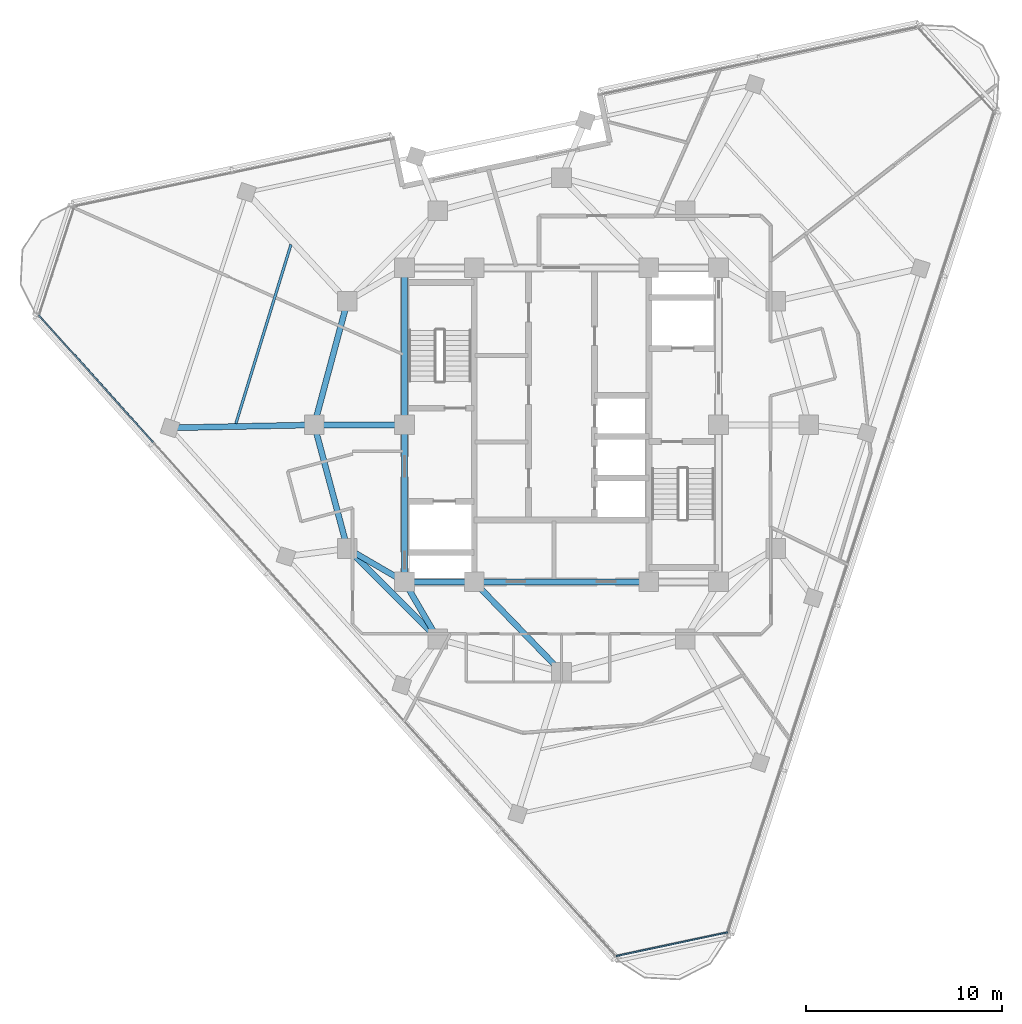
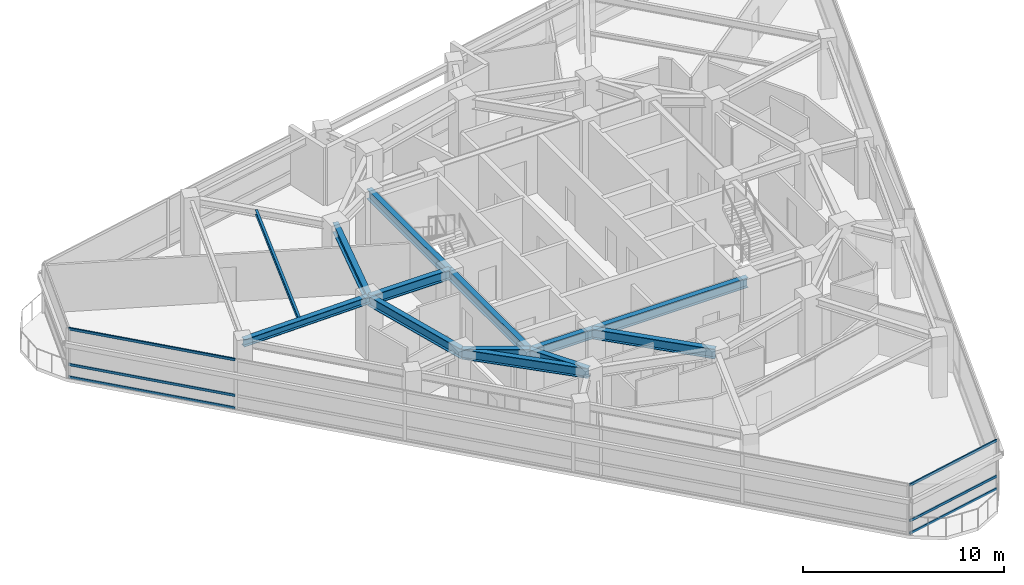
# One storey, part 3 of 15: 13 beams, 6 members, 2 elements without a shape of their own.
"""IFC4 building model written with IfcOpenShell, lengths in metres."""

import ifcopenshell
import ifcopenshell.guid

model = None  # the IFC model being written
_history = None  # IfcOwnerHistory: only IFC2X3 demands one
_inside = {}  # id of a spatial element -> (the spatial element, [elements in it])
_under = {}  # id of a project, library or spatial element -> (it, [spatial elements below it])
_declared = {}  # id of a project -> (the project, [libraries it declares])
_typed = {}  # id of a type object -> (the type object, [elements of that type])
_made_of = {}  # id of a material, layer set ... -> (it, [elements and type objects made of it])


def new_model(schema):
    """Start an empty IFC model of exactly this schema.

    Asked for "IFC4X3", IfcOpenShell would pick the latest addendum, in which some entities
    have other attributes; the version numbers below select the first issue.
    IFC2X3 requires an IfcOwnerHistory on every rooted entity: one is made here for all.
    """
    global model, _history
    if schema == "IFC4X3":
        model = ifcopenshell.file(schema_version=(4, 3, 0, 0))
    else:
        model = ifcopenshell.file(schema=schema)
    _inside.clear()
    _under.clear()
    _declared.clear()
    _typed.clear()
    _made_of.clear()
    _history = None
    if model.schema == "IFC2X3":
        org = make("IfcOrganization", Name="unknown")
        user = make(
            "IfcPersonAndOrganization",
            ThePerson=make("IfcPerson", FamilyName="unknown"),
            TheOrganization=org,
        )
        app = make(
            "IfcApplication",
            ApplicationDeveloper=org,
            Version="unknown",
            ApplicationFullName="unknown",
            ApplicationIdentifier="unknown",
        )
        _history = make(
            "IfcOwnerHistory",
            OwningUser=user,
            OwningApplication=app,
            ChangeAction="ADDED",
            CreationDate=0,
        )
    return model


def make(cls, **values):
    """One entity of the class cls with the attributes given. An attribute that is None is left unset."""
    return model.create_entity(
        cls, **{name: value for name, value in values.items() if value is not None}
    )


def rooted(cls, **values):
    """An entity with a GlobalId (a new one), such as an element, a storey or a relation."""
    return make(cls, GlobalId=ifcopenshell.guid.new(), OwnerHistory=_history, **values)


def si_unit(unit_type, name, prefix=None):
    """IfcSIUnit, for example si_unit("LENGTHUNIT", "METRE", prefix="MILLI")."""
    return make("IfcSIUnit", UnitType=unit_type, Prefix=prefix, Name=name)


def assignment(units):
    """IfcUnitAssignment: the units of a project."""
    return None if units is None else make("IfcUnitAssignment", Units=units)


def point(xyz):
    """IfcCartesianPoint."""
    return None if xyz is None else make("IfcCartesianPoint", Coordinates=xyz)


def direction(xyz):
    """IfcDirection."""
    return None if xyz is None else make("IfcDirection", DirectionRatios=xyz)


def frame(location, z_axis=None, x_axis=None):
    """IfcAxis2Placement3D, a coordinate frame: its origin and axes. An axis left out is left unset."""
    return make(
        "IfcAxis2Placement3D",
        Location=point(location),
        Axis=direction(z_axis),
        RefDirection=direction(x_axis),
    )


def frame_2d(location, x_axis=None):
    """IfcAxis2Placement2D, a coordinate frame in the plane: its origin and x axis."""
    return make(
        "IfcAxis2Placement2D", Location=point(location), RefDirection=direction(x_axis)
    )


def origin():
    """The frame at (0, 0, 0) with its axes left unset."""
    return frame((0.0, 0.0, 0.0))


def origin_2d():
    """The frame at (0, 0) in the plane with its x axis left unset."""
    return frame_2d((0.0, 0.0))


def place(relative_to, where):
    """IfcLocalPlacement: puts the frame where relative to a parent placement (None: the world)."""
    return make(
        "IfcLocalPlacement", PlacementRelTo=relative_to, RelativePlacement=where
    )


def context(
    kind, dimensions, precision=None, world=None, true_north=None, identifier=None
):
    """IfcGeometricRepresentationContext, for example the 3D "Model" context."""
    return make(
        "IfcGeometricRepresentationContext",
        ContextIdentifier=identifier,
        ContextType=kind,
        CoordinateSpaceDimension=dimensions,
        Precision=precision,
        WorldCoordinateSystem=world,
        TrueNorth=true_north,
    )


def subcontext(parent, identifier, kind, view, scale=None):
    """IfcGeometricRepresentationSubContext, for example "Body" below "Model"."""
    return make(
        "IfcGeometricRepresentationSubContext",
        ContextIdentifier=identifier,
        ContextType=kind,
        ParentContext=parent,
        TargetScale=scale,
        TargetView=view,
    )


def project(units=None, contexts=None):
    """IfcProject with its units and contexts."""
    return rooted(
        "IfcProject",
        Name="project",
        RepresentationContexts=contexts,
        UnitsInContext=assignment(units),
    )


def spatial(cls, under=None, at=None, **own):
    """A site, building, storey or space (cls), placed at a placement, below another one or the project."""
    s = rooted(cls, ObjectPlacement=at, **own)
    if under is not None:
        _under.setdefault(under.id(), (under, []))[1].append(s)
    return s


def profile(cls, at=None, kind="AREA", **sizes):
    """A parametric profile (cls). Its sizes go by their IFC names, for example OverallWidth=200.0."""
    return make(cls, ProfileType=kind, Position=at, **sizes)


def rectangle(**sizes):
    """IfcRectangleProfileDef."""
    return profile("IfcRectangleProfileDef", **sizes)


def i_section(**sizes):
    """IfcIShapeProfileDef."""
    return profile("IfcIShapeProfileDef", **sizes)


def extrude(swept, where, along, depth):
    """IfcExtrudedAreaSolid: the profile swept, set in the frame where, extruded along a direction by depth."""
    return make(
        "IfcExtrudedAreaSolid",
        SweptArea=swept,
        Position=where,
        ExtrudedDirection=direction(along),
        Depth=depth,
    )


def shape(context_of_items, identifier, shape_type, items):
    """IfcShapeRepresentation: the items that make up one representation, for example the "Body"."""
    return make(
        "IfcShapeRepresentation",
        ContextOfItems=context_of_items,
        RepresentationIdentifier=identifier,
        RepresentationType=shape_type,
        Items=items,
    )


def material(Name=None, Category=None):
    """IfcMaterial."""
    return make("IfcMaterial", Name=Name, Category=Category)


def layer(
    of_material, thickness, ventilated=None, Name=None, Category=None, Priority=None
):
    """IfcMaterialLayer: one layer of a wall or slab, of a material (None: an air gap)."""
    return make(
        "IfcMaterialLayer",
        Material=of_material,
        LayerThickness=thickness,
        IsVentilated=ventilated,
        Name=Name,
        Category=Category,
        Priority=Priority,
    )


def layer_set(layers, Name=None):
    """IfcMaterialLayerSet."""
    return make("IfcMaterialLayerSet", MaterialLayers=layers, LayerSetName=Name)


def material_profile(
    of_material, cross_section, Name=None, Category=None, Priority=None
):
    """IfcMaterialProfile: a cross section and its material."""
    return make(
        "IfcMaterialProfile",
        Name=Name,
        Material=of_material,
        Profile=cross_section,
        Priority=Priority,
        Category=Category,
    )


def profile_set(profiles, Name=None, composite=None):
    """IfcMaterialProfileSet."""
    return make(
        "IfcMaterialProfileSet",
        Name=Name,
        MaterialProfiles=profiles,
        CompositeProfile=composite,
    )


def made_of(thing, what):
    """Note that an element or type object is made of a material, layer set ...; save() writes the relation."""
    if what is not None:
        _made_of.setdefault(what.id(), (what, []))[1].append(thing)
    return thing


def type_object(cls, material=None, **own):
    """A type object (cls), such as IfcWallType, which elements share."""
    return made_of(rooted(cls, **own), material)


def element(
    cls,
    number,
    at=None,
    inside=None,
    cuts=None,
    type_object=None,
    material=None,
    context=None,
    identifier="Body",
    shape_type=None,
    held_by="IfcProductDefinitionShape",
    body=None,
    shapes=None,
    **own,
):
    """One element of the class cls, such as IfcWall. Its Tag is "e" and its number.

    at: its placement. inside: the storey or other place that contains it. cuts: it is an
    opening in that element (IfcRelVoidsElement). A single representation is given by context,
    identifier, shape_type and body (its items); several are given by shapes. held_by: the class
    of the entity that holds the representations. save() writes the other relations.
    """
    e = rooted(cls, Tag="e%d" % number, ObjectPlacement=at, **own)
    if body is not None:
        shapes = [shape(context, identifier, shape_type, body)]
    if shapes is not None:
        e.Representation = make(held_by, Representations=shapes)
    if inside is not None:
        _inside.setdefault(inside.id(), (inside, []))[1].append(e)
    if cuts is not None:
        rooted(
            "IfcRelVoidsElement", RelatingBuildingElement=cuts, RelatedOpeningElement=e
        )
    if type_object is not None:
        _typed.setdefault(type_object.id(), (type_object, []))[1].append(e)
    return made_of(e, material)


def aggregate(whole, parts):
    """IfcRelAggregates: a whole, such as a stair, and the parts it consists of."""
    return rooted("IfcRelAggregates", RelatingObject=whole, RelatedObjects=parts)


def save(model, path):
    """Write the relations noted so far, then the file.

    IfcRelAggregates (storeys below a building ...), IfcRelContainedInSpatialStructure (elements
    in a storey), IfcRelDefinesByType, IfcRelAssociatesMaterial and IfcRelDeclares: one each for
    every whole, place, type object, material and project.
    """
    for whole, parts in _under.values():
        aggregate(whole, parts)
    for where, things in _inside.values():
        rooted(
            "IfcRelContainedInSpatialStructure",
            RelatedElements=things,
            RelatingStructure=where,
        )
    for kind, things in _typed.values():
        rooted("IfcRelDefinesByType", RelatedObjects=things, RelatingType=kind)
    for what, things in _made_of.values():
        rooted("IfcRelAssociatesMaterial", RelatedObjects=things, RelatingMaterial=what)
    for by, libraries in _declared.values():
        rooted("IfcRelDeclares", RelatingContext=by, RelatedDefinitions=libraries)
    model.write(path)


model = new_model("IFC4")

# Units and contexts
model_context = context("Model", 3, precision=1e-05, world=origin(), true_north=direction((0.0, 1.0)))
body_context = subcontext(model_context, "Body", "Model", "MODEL_VIEW")
ifc_project = project(units=[si_unit("LENGTHUNIT", "METRE"), si_unit("AREAUNIT", "SQUARE_METRE"), si_unit("VOLUMEUNIT", "CUBIC_METRE"), si_unit("PLANEANGLEUNIT", "RADIAN"), si_unit("MASSUNIT", "GRAM", prefix="KILO")], contexts=[model_context])

# Site, building, storey
site_placement = place(None, origin())
site = spatial("IfcSite", under=ifc_project, at=site_placement, CompositionType="ELEMENT")
building_placement = place(site_placement, origin())
building = spatial("IfcBuilding", under=site, at=building_placement, Name="Terralouvre Media Tower", CompositionType="ELEMENT")
storey_placement = place(building_placement, frame((0.0, 0.0, 294.300048828125)))
storey = spatial("IfcBuildingStorey", under=building, at=storey_placement, Name="L76", CompositionType="ELEMENT", Elevation=294.300048828125)

# Beam
ifc_material_1 = material(Name="Structural steel S355J2", Category="steel")
ifc_material_profile_1 = material_profile(ifc_material_1, i_section(OverallWidth=0.135009765625, OverallDepth=0.27001953125, WebThickness=0.006591796875, FlangeThickness=0.01025390625, at=origin_2d()), Name="IPE 270")
ifc_profile_set_1 = profile_set([ifc_material_profile_1], Name="Structural steel S355J2")
beam_type_1 = type_object("IfcBeamType", Name="Composite Floor Joist J-IPE270 (IPE 270)", PredefinedType="JOIST", material=ifc_profile_set_1)
beam_1_placement = place(storey_placement, frame((-13.788330078125, 9.187744140625, 3.364990234375), z_axis=(-0.294195495195, -0.955745264496, 0.0), x_axis=(0.955745264496, -0.294195495195, 0.0)))
element("IfcBeam", 1, at=beam_1_placement, inside=storey, type_object=beam_type_1, Name="L76 Framing Beam JT-L76-06", PredefinedType="JOIST", context=body_context, shape_type="SweptSolid", body=[
    extrude(i_section(OverallWidth=0.135009765625, OverallDepth=0.27001953125, WebThickness=0.006591796875, FlangeThickness=0.01025390625, at=origin_2d()), origin(), (0.0, 0.0, 1.0), 9.544189453125),
])

# Curtain wall, members
ifc_material_2 = material(Name="Low-iron laminated double glazing with solar-control coating", Category="glass")
ifc_layer_1 = layer(ifc_material_2, 0.1650390625, Name="Faceted Glass-Point Crown Curtain Wall CW-06")
ifc_layer_set_1 = layer_set([ifc_layer_1], Name="Low-iron laminated double glazing with solar-control coating")
curtain_wall_type_1 = type_object("IfcCurtainWallType", Name="Faceted Glass-Point Crown Curtain Wall CW-06", PredefinedType="NOTDEFINED", material=ifc_layer_set_1)
curtain_wall_1_placement = place(storey_placement, origin())
curtain_wall_1 = element("IfcCurtainWall", 2, at=curtain_wall_1_placement, inside=storey, type_object=curtain_wall_type_1, Name="L76 Facade Curtain Wall F2", PredefinedType="NOTDEFINED")
ifc_material_3 = material(Name="Anodised extruded aluminium 6063-T6", Category="aluminium")
ifc_material_profile_2 = material_profile(ifc_material_3, rectangle(XDim=0.074951171875, YDim=0.14990234375, at=origin_2d()), Name="ALU 75x150")
ifc_profile_set_2 = profile_set([ifc_material_profile_2], Name="Anodised extruded aluminium 6063-T6")
member_type = type_object("IfcMemberType", Name="Curtain-Wall Horizontal Transom TR-150", PredefinedType="USERDEFINED", material=ifc_profile_set_2)
member_1_placement = place(storey_placement, frame((-26.64306640625, 5.59423828125, 0.037353515625), z_axis=(0.669130389016, -0.743145021174, 0.0), x_axis=(0.743145021174, 0.669130389016, 0.0)))
member_1 = element("IfcMember", 3, at=member_1_placement, type_object=member_type, Name="CW-06 transom 1.1", ObjectType="TRANSOM", PredefinedType="USERDEFINED", context=body_context, shape_type="SweptSolid", body=[
    extrude(rectangle(XDim=0.074951171875, YDim=0.14990234375, at=origin_2d()), origin(), (0.0, 0.0, 1.0), 8.71142578125),
])
member_2_placement = place(storey_placement, frame((-26.64306640625, 5.59423828125, 0.800048828125), z_axis=(0.669130389016, -0.743145021174, 0.0), x_axis=(0.743145021174, 0.669130389016, 0.0)))
member_2 = element("IfcMember", 4, at=member_2_placement, type_object=member_type, Name="CW-06 transom 1.2", ObjectType="TRANSOM", PredefinedType="USERDEFINED", context=body_context, shape_type="SweptSolid", body=[
    extrude(rectangle(XDim=0.074951171875, YDim=0.14990234375, at=origin_2d()), origin(), (0.0, 0.0, 1.0), 8.71142578125),
])
member_3_placement = place(storey_placement, frame((-26.64306640625, 5.59423828125, 2.96240234375), z_axis=(0.669130389016, -0.743145021174, 0.0), x_axis=(0.743145021174, 0.669130389016, 0.0)))
member_3 = element("IfcMember", 5, at=member_3_placement, type_object=member_type, Name="CW-06 transom 1.3", ObjectType="TRANSOM", PredefinedType="USERDEFINED", context=body_context, shape_type="SweptSolid", body=[
    extrude(rectangle(XDim=0.074951171875, YDim=0.14990234375, at=origin_2d()), origin(), (0.0, 0.0, 1.0), 8.71142578125),
])
aggregate(curtain_wall_1, [member_1, member_2, member_3])

ifc_material_4 = material(Name="Low-iron laminated double glazing with solar-control coating", Category="glass")
ifc_layer_2 = layer(ifc_material_4, 0.1650390625, Name="Rounded Wind-Corner Curved Glazing CW-04")
ifc_layer_set_2 = layer_set([ifc_layer_2], Name="Low-iron laminated double glazing with solar-control coating")
curtain_wall_type_2 = type_object("IfcCurtainWallType", Name="Rounded Wind-Corner Curved Glazing CW-04", PredefinedType="NOTDEFINED", material=ifc_layer_set_2)
curtain_wall_2_placement = place(storey_placement, origin())
curtain_wall_2 = element("IfcCurtainWall", 6, at=curtain_wall_2_placement, inside=storey, type_object=curtain_wall_type_2, Name="L76 Rounded Wind-Corner Curtain Wall C0", PredefinedType="NOTDEFINED")
member_4_placement = place(storey_placement, frame((2.783935546875, -27.0654296875, 0.037353515625), z_axis=(0.978142503597, 0.207935669515, 0.0), x_axis=(-0.207935669515, 0.978142503597, 0.0)))
member_4 = element("IfcMember", 7, at=member_4_placement, type_object=member_type, Name="CW-04 transom 1.1", ObjectType="TRANSOM", PredefinedType="USERDEFINED", context=body_context, shape_type="SweptSolid", body=[
    extrude(rectangle(XDim=0.074951171875, YDim=0.14990234375, at=origin_2d()), origin(), (0.0, 0.0, 1.0), 5.808349609375),
])
member_5_placement = place(storey_placement, frame((2.783935546875, -27.0654296875, 0.800048828125), z_axis=(0.978142503597, 0.207935669515, 0.0), x_axis=(-0.207935669515, 0.978142503597, 0.0)))
member_5 = element("IfcMember", 8, at=member_5_placement, type_object=member_type, Name="CW-04 transom 1.2", ObjectType="TRANSOM", PredefinedType="USERDEFINED", context=body_context, shape_type="SweptSolid", body=[
    extrude(rectangle(XDim=0.074951171875, YDim=0.14990234375, at=origin_2d()), origin(), (0.0, 0.0, 1.0), 5.808349609375),
])
member_6_placement = place(storey_placement, frame((2.783935546875, -27.0654296875, 2.96240234375), z_axis=(0.978142503597, 0.207935669515, 0.0), x_axis=(-0.207935669515, 0.978142503597, 0.0)))
member_6 = element("IfcMember", 9, at=member_6_placement, type_object=member_type, Name="CW-04 transom 1.3", ObjectType="TRANSOM", PredefinedType="USERDEFINED", context=body_context, shape_type="SweptSolid", body=[
    extrude(rectangle(XDim=0.074951171875, YDim=0.14990234375, at=origin_2d()), origin(), (0.0, 0.0, 1.0), 5.808349609375),
])
aggregate(curtain_wall_2, [member_4, member_5, member_6])

# Beams
ifc_material_5 = material(Name="Structural steel S355J2", Category="steel")
ifc_material_profile_3 = material_profile(ifc_material_5, i_section(OverallWidth=0.300048828125, OverallDepth=0.449951171875, WebThickness=0.013916015625, FlangeThickness=0.02587890625, at=origin_2d()), Name="HEB 450")
ifc_profile_set_3 = profile_set([ifc_material_profile_3], Name="Structural steel S355J2")
beam_type_2 = type_object("IfcBeamType", Name="Primary Floor Girder B-HEB450 (HEB 450)", PredefinedType="BEAM", material=ifc_profile_set_3)
beam_2_placement = place(storey_placement, frame((-12.60009765625, 0.0, 3.27490234375), z_axis=(-0.999787942628, -0.020592954534, 0.0), x_axis=(0.020592954534, -0.999787942628, 0.0)))
element("IfcBeam", 10, at=beam_2_placement, inside=storey, type_object=beam_type_2, Name="L76 Framing Beam BM-L76-RD01", PredefinedType="BEAM", context=body_context, shape_type="SweptSolid", body=[
    extrude(i_section(OverallWidth=0.300048828125, OverallDepth=0.449951171875, WebThickness=0.013916015625, FlangeThickness=0.02587890625, at=origin_2d()), origin(), (0.0, 0.0, 1.0), 7.350341796875),
])
ifc_material_6 = material(Name="Structural steel S460M", Category="steel")
ifc_material_profile_4 = material_profile(ifc_material_6, i_section(OverallWidth=0.300048828125, OverallDepth=0.60009765625, WebThickness=0.015380859375, FlangeThickness=0.030029296875, at=origin_2d()), Name="HEB 600")
ifc_profile_set_4 = profile_set([ifc_material_profile_4], Name="Structural steel S460M")
beam_type_3 = type_object("IfcBeamType", Name="Primary Floor Girder B-HEB600 (HEB 600)", PredefinedType="BEAM", material=ifc_profile_set_4)
beam_3_placement = place(storey_placement, frame((-8.0, -8.0, 3.199951171875), z_axis=(1.0, 0.0, 0.0), x_axis=(0.0, 1.0, 0.0)))
element("IfcBeam", 11, at=beam_3_placement, inside=storey, type_object=beam_type_3, Name="L76 Framing Beam BM-L76-CPR01", PredefinedType="BEAM", context=body_context, shape_type="SweptSolid", body=[
    extrude(i_section(OverallWidth=0.300048828125, OverallDepth=0.60009765625, WebThickness=0.015380859375, FlangeThickness=0.030029296875, at=origin_2d()), origin(), (0.0, 0.0, 1.0), 3.550048828125),
])
beam_4_placement = place(storey_placement, frame((-4.449951171875, -8.0, 3.199951171875), z_axis=(1.0, 0.0, 0.0), x_axis=(0.0, 1.0, 0.0)))
element("IfcBeam", 12, at=beam_4_placement, inside=storey, type_object=beam_type_3, Name="L76 Framing Beam BM-L76-CPR02", PredefinedType="BEAM", context=body_context, shape_type="SweptSolid", body=[
    extrude(i_section(OverallWidth=0.300048828125, OverallDepth=0.60009765625, WebThickness=0.015380859375, FlangeThickness=0.030029296875, at=origin_2d()), origin(), (0.0, 0.0, 1.0), 8.89990234375),
])
for number, where, z_axis, x_axis, name in (
    (13, (-8.0, 8.0, 3.199951171875), (0.0, -1.0, 0.0), (1.0, 0.0, 0.0), "L76 Framing Beam BM-L76-CPR09"),
    (14, (-8.0, 0.0, 3.199951171875), (0.0, -1.0, 0.0), (1.0, 0.0, 0.0), "L76 Framing Beam BM-L76-CPR10"),
):
    element("IfcBeam", number, at=place(storey_placement, frame(where, z_axis=z_axis, x_axis=x_axis)), inside=storey, type_object=beam_type_3, Name=name, PredefinedType="BEAM", context=body_context, shape_type="SweptSolid", body=[
        extrude(i_section(OverallWidth=0.300048828125, OverallDepth=0.60009765625, WebThickness=0.015380859375, FlangeThickness=0.030029296875, at=origin_2d()), origin(), (0.0, 0.0, 1.0), 8.0),
    ])
beam_5_placement = place(storey_placement, frame((-10.911865234375, -6.300048828125, 3.199951171875), z_axis=(0.707106781187, -0.707106781187, 0.0), x_axis=(0.707106781187, 0.707106781187, 0.0)))
element("IfcBeam", 15, at=beam_5_placement, inside=storey, type_object=beam_type_3, Name="L76 Framing Beam BM-L76-MR01", PredefinedType="BEAM", context=body_context, shape_type="SweptSolid", body=[
    extrude(i_section(OverallWidth=0.300048828125, OverallDepth=0.60009765625, WebThickness=0.015380859375, FlangeThickness=0.030029296875, at=origin_2d()), origin(), (0.0, 0.0, 1.0), 6.52197265625),
])
for number, where, z_axis, x_axis, name in (
    (16, (-10.911865234375, 6.300048828125, 3.199951171875), (-0.258838989821, -0.965920481897, 0.0), (0.965920481897, -0.258838989821, 0.0), "L76 Framing Beam BM-L76-MR11"),
    (17, (-12.60009765625, 0.0, 3.199951171875), (0.258838989821, -0.965920481897, 0.0), (0.965920481897, 0.258838989821, 0.0), "L76 Framing Beam BM-L76-MR12"),
):
    element("IfcBeam", number, at=place(storey_placement, frame(where, z_axis=z_axis, x_axis=x_axis)), inside=storey, type_object=beam_type_3, Name=name, PredefinedType="BEAM", context=body_context, shape_type="SweptSolid", body=[
        extrude(i_section(OverallWidth=0.300048828125, OverallDepth=0.60009765625, WebThickness=0.015380859375, FlangeThickness=0.030029296875, at=origin_2d()), origin(), (0.0, 0.0, 1.0), 6.522216796875),
    ])
for number, where, z_axis, x_axis, name in (
    (18, (-8.0, -8.0, 3.199951171875), (-0.863602894532, 0.504172629717, 0.0), (-0.504172629717, -0.863602894532, 0.0), "L76 Framing Beam BM-L76-CM01"),
    (19, (-8.0, -8.0, 3.199951171875), (0.504172629717, -0.863602894532, 0.0), (0.863602894532, 0.504172629717, 0.0), "L76 Framing Beam BM-L76-CM02"),
):
    element("IfcBeam", number, at=place(storey_placement, frame(where, z_axis=z_axis, x_axis=x_axis)), inside=storey, type_object=beam_type_3, Name=name, PredefinedType="BEAM", context=body_context, shape_type="SweptSolid", body=[
        extrude(i_section(OverallWidth=0.300048828125, OverallDepth=0.60009765625, WebThickness=0.015380859375, FlangeThickness=0.030029296875, at=origin_2d()), origin(), (0.0, 0.0, 1.0), 3.371826171875),
    ])
beam_6_placement = place(storey_placement, frame((-4.449951171875, -8.0, 3.199951171875), z_axis=(0.695279715726, -0.718739255155, 0.0), x_axis=(0.718739255155, 0.695279715726, 0.0)))
element("IfcBeam", 20, at=beam_6_placement, inside=storey, type_object=beam_type_3, Name="L76 Framing Beam BM-L76-CM03", PredefinedType="BEAM", context=body_context, shape_type="SweptSolid", body=[
    extrude(i_section(OverallWidth=0.300048828125, OverallDepth=0.60009765625, WebThickness=0.015380859375, FlangeThickness=0.030029296875, at=origin_2d()), origin(), (0.0, 0.0, 1.0), 6.400146484375),
])
beam_7_placement = place(storey_placement, frame((-8.0, 0.0, 3.199951171875), z_axis=(-1.0, 0.0, 0.0), x_axis=(0.0, -1.0, 0.0)))
element("IfcBeam", 21, at=beam_7_placement, inside=storey, type_object=beam_type_3, Name="L76 Framing Beam BM-L76-CM12", PredefinedType="BEAM", context=body_context, shape_type="SweptSolid", body=[
    extrude(i_section(OverallWidth=0.300048828125, OverallDepth=0.60009765625, WebThickness=0.015380859375, FlangeThickness=0.030029296875, at=origin_2d()), origin(), (0.0, 0.0, 1.0), 4.60009765625),
])

save(model, "model.ifc")
